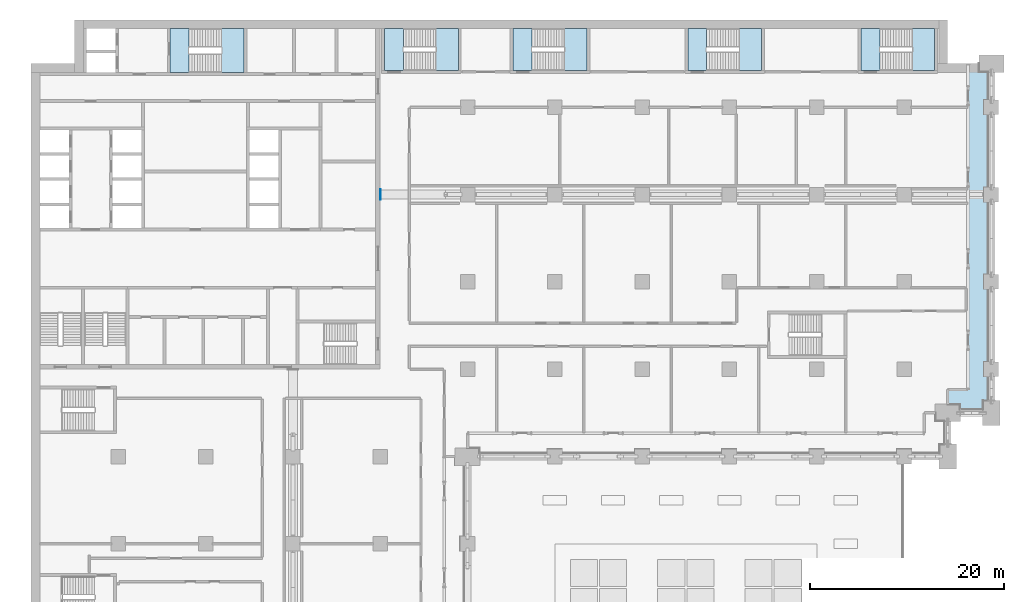
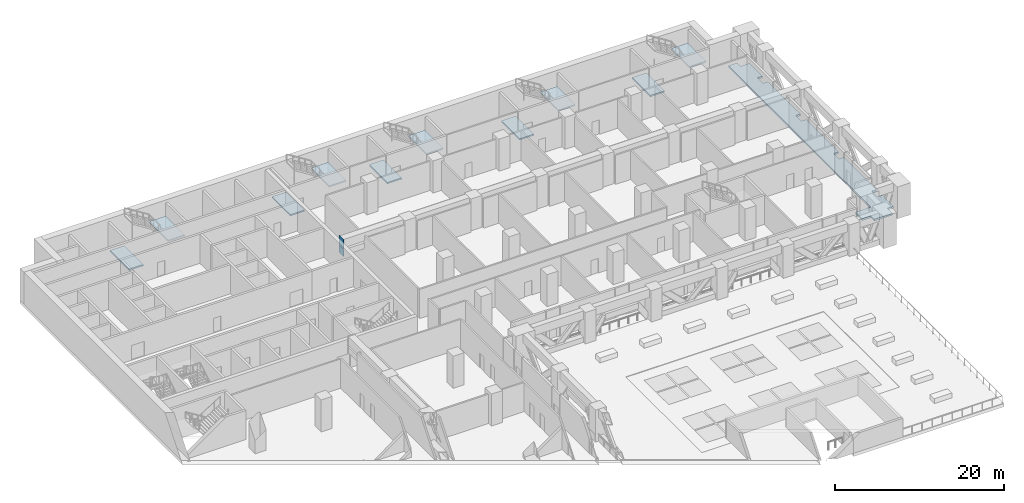
# One storey, part 9 of 31: 11 slabs, 2 plates, 5 elements without a shape of their own.
"""IFC4 building model written with IfcOpenShell, lengths in metres."""

from ifc_helpers import new_model, si_unit, direction, frame, origin, origin_2d, place, context, subcontext, project, spatial, polyline, rectangle, outline, extrude, material, layer, layer_set, type_object, element, aggregate, save


model = new_model("IFC4")

# Units and contexts
model_context = context("Model", 3, precision=1e-05, world=origin(), true_north=direction((0.0, 1.0)))
body_context = subcontext(model_context, "Body", "Model", "MODEL_VIEW")
ifc_project = project(units=[si_unit("LENGTHUNIT", "METRE"), si_unit("AREAUNIT", "SQUARE_METRE"), si_unit("VOLUMEUNIT", "CUBIC_METRE"), si_unit("PLANEANGLEUNIT", "RADIAN"), si_unit("MASSUNIT", "GRAM", prefix="KILO")], contexts=[model_context])

# Site, building, storey
site_placement = place(None, origin())
site = spatial("IfcSite", under=ifc_project, at=site_placement, CompositionType="ELEMENT")
building_placement = place(site_placement, origin())
building = spatial("IfcBuilding", under=site, at=building_placement, Name="Hunhe Ridgeline Campus", CompositionType="ELEMENT")
storey_placement = place(building_placement, frame((0.0, 0.0, 31.199951171875)))
storey = spatial("IfcBuildingStorey", under=building, at=storey_placement, Name="L06", CompositionType="ELEMENT", Elevation=31.199951171875)

# Plates
ifc_material_1 = material(Name="Steel Q420", Category="steel")
ifc_layer_1 = layer(ifc_material_1, 0.0400390625)
ifc_layer_set_1 = layer_set([ifc_layer_1], Name="Cast-in plate 1100x1000x40 Steel Q420")
plate_type_1 = type_object("IfcPlateType", Name="Cast-in plate 1100x1000x40 Steel Q420", PredefinedType="SHEET", material=ifc_layer_set_1)
plate_1_placement = place(storey_placement, frame((36.02001953125, 81.0, 2.199951171875), z_axis=(0.0, 0.0, 1.0), x_axis=(1.0, 0.0, 0.0)))
element("IfcPlate", 1, at=plate_1_placement, inside=storey, type_object=plate_type_1, Name="Cast-in plate OR1 bottom chord L06", PredefinedType="SHEET", context=body_context, shape_type="SweptSolid", body=[
    extrude(rectangle(XDim=0.0400390625, YDim=1.10009765625, at=origin_2d()), origin(), (0.0, 0.0, 1.0), 1.0),
])
ifc_layer_2 = layer(ifc_material_1, 0.0400390625)
ifc_layer_set_2 = layer_set([ifc_layer_2], Name="Cast-in plate 1100x1400x40 Steel Q420")
plate_type_2 = type_object("IfcPlateType", Name="Cast-in plate 1100x1400x40 Steel Q420", PredefinedType="SHEET", material=ifc_layer_set_2)
plate_2_placement = place(storey_placement, frame((36.02001953125, 81.0, 3.300048828125), z_axis=(0.0, 0.0, 1.0), x_axis=(1.0, 0.0, 0.0)))
element("IfcPlate", 2, at=plate_2_placement, inside=storey, type_object=plate_type_2, Name="Cast-in plate OR1 top chord L06", PredefinedType="SHEET", context=body_context, shape_type="SweptSolid", body=[
    extrude(rectangle(XDim=0.0400390625, YDim=1.10009765625, at=origin_2d()), origin(), (0.0, 0.0, 1.0), 1.39990234375),
])

# Slab
ifc_material_2 = material(Name="Concrete C40", Category="concrete")
ifc_layer_3 = layer(ifc_material_2, 0.25)
ifc_layer_set_3 = layer_set([ifc_layer_3], Name="Loggia slab 250 Concrete C40")
slab_type_1 = type_object("IfcSlabType", Name="Loggia slab 250 Concrete C40", PredefinedType="FLOOR", material=ifc_layer_set_3)
slab_1_placement = place(storey_placement, frame((0.0, 0.0, -0.25)))
element("IfcSlab", 3, at=slab_1_placement, inside=storey, type_object=slab_type_1, Name="Loggia slab 3", PredefinedType="FLOOR", context=body_context, shape_type="SweptSolid", body=[
    extrude(outline(polyline([(94.5, 59.300048828125), (95.699951171875, 59.300048828125), (95.699951171875, 58.5), (98.199951171875, 58.5), (98.199951171875, 59.699951171875), (99.0, 59.699951171875), (99.0, 62.35009765625), (98.35009765625, 62.35009765625), (98.35009765625, 63.64990234375), (99.0, 63.64990234375), (99.0, 71.35009765625), (98.35009765625, 71.35009765625), (98.35009765625, 72.64990234375), (99.0, 72.64990234375), (99.0, 80.35009765625), (98.35009765625, 80.35009765625), (98.35009765625, 81.64990234375), (99.0, 81.64990234375), (99.0, 89.35009765625), (98.35009765625, 89.35009765625), (98.35009765625, 90.64990234375), (99.0, 90.64990234375), (99.0, 93.699951171875), (97.800048828125, 93.699951171875), (97.800048828125, 94.5), (96.60009765625, 94.5), (96.60009765625, 60.89990234375), (94.5, 60.89990234375), (94.5, 59.300048828125)])), origin(), (0.0, 0.0, 1.0), 0.25),
])

# Stair, slab
stair_type = type_object("IfcStairType", Name="Reinforced concrete dog-leg stair 1950 Concrete C40", PredefinedType="HALF_TURN_STAIR", material=ifc_material_2)
stair_1_placement = place(storey_placement, origin())
stair_1 = element("IfcStair", 4, at=stair_1_placement, inside=storey, type_object=stair_type, Name="L06 S1", PredefinedType="HALF_TURN_STAIR")
ifc_layer_4 = layer(ifc_material_2, 0.199951171875)
ifc_layer_set_4 = layer_set([ifc_layer_4], Name="Reinforced concrete stair landing 200 Concrete C40")
slab_type_2 = type_object("IfcSlabType", Name="Reinforced concrete stair landing 200 Concrete C40", PredefinedType="LANDING", material=ifc_layer_set_4)
slab_2_placement = place(storey_placement, frame((0.0, 0.0, 2.10009765625)))
slab_2 = element("IfcSlab", 5, at=slab_2_placement, type_object=slab_type_2, Name="ST1 landing 1", PredefinedType="LANDING", context=body_context, shape_type="SweptSolid", body=[
    extrude(outline(polyline([(19.659912109375, 93.60009765625), (21.949951171875, 93.60009765625), (21.949951171875, 98.10009765625), (19.659912109375, 98.10009765625), (19.659912109375, 93.60009765625)])), origin(), (0.0, 0.0, 1.0), 0.199951171875),
])
aggregate(stair_1, [slab_2])

# Slab
slab_3_placement = place(storey_placement, frame((0.0, 0.0, -0.199951171875)))
element("IfcSlab", 6, at=slab_3_placement, inside=storey, type_object=slab_type_2, Name="L06 stair S1 floor landing", PredefinedType="LANDING", context=body_context, shape_type="SweptSolid", body=[
    extrude(outline(polyline([(14.35009765625, 93.60009765625), (16.300048828125, 93.60009765625), (16.300048828125, 98.10009765625), (14.35009765625, 98.10009765625), (14.35009765625, 93.60009765625)])), origin(), (0.0, 0.0, 1.0), 0.199951171875),
])

# Stair, slab
stair_2_placement = place(storey_placement, origin())
stair_2 = element("IfcStair", 7, at=stair_2_placement, inside=storey, type_object=stair_type, Name="L06 E1", PredefinedType="HALF_TURN_STAIR")
slab_4_placement = place(storey_placement, frame((0.0, 0.0, 2.10009765625)))
slab_4 = element("IfcSlab", 8, at=slab_4_placement, type_object=slab_type_2, Name="ST5 landing 1", PredefinedType="LANDING", context=body_context, shape_type="SweptSolid", body=[
    extrude(outline(polyline([(41.760009765625, 93.800048828125), (44.050048828125, 93.800048828125), (44.050048828125, 98.10009765625), (41.760009765625, 98.10009765625), (41.760009765625, 93.800048828125)])), origin(), (0.0, 0.0, 1.0), 0.199951171875),
])
aggregate(stair_2, [slab_4])

# Slab
slab_5_placement = place(storey_placement, frame((0.0, 0.0, -0.199951171875)))
element("IfcSlab", 9, at=slab_5_placement, inside=storey, type_object=slab_type_2, Name="L06 stair E1 floor landing", PredefinedType="LANDING", context=body_context, shape_type="SweptSolid", body=[
    extrude(outline(polyline([(36.449951171875, 93.800048828125), (38.39990234375, 93.800048828125), (38.39990234375, 98.10009765625), (36.449951171875, 98.10009765625), (36.449951171875, 93.800048828125)])), origin(), (0.0, 0.0, 1.0), 0.199951171875),
])

# Stair, slab
stair_3_placement = place(storey_placement, origin())
stair_3 = element("IfcStair", 10, at=stair_3_placement, inside=storey, type_object=stair_type, Name="L06 E2", PredefinedType="HALF_TURN_STAIR")
slab_6_placement = place(storey_placement, frame((0.0, 0.0, 2.10009765625)))
slab_6 = element("IfcSlab", 11, at=slab_6_placement, type_object=slab_type_2, Name="ST6 landing 1", PredefinedType="LANDING", context=body_context, shape_type="SweptSolid", body=[
    extrude(outline(polyline([(55.010009765625, 93.800048828125), (57.300048828125, 93.800048828125), (57.300048828125, 98.10009765625), (55.010009765625, 98.10009765625), (55.010009765625, 93.800048828125)])), origin(), (0.0, 0.0, 1.0), 0.199951171875),
])
aggregate(stair_3, [slab_6])

# Slab
slab_7_placement = place(storey_placement, frame((0.0, 0.0, -0.199951171875)))
element("IfcSlab", 12, at=slab_7_placement, inside=storey, type_object=slab_type_2, Name="L06 stair E2 floor landing", PredefinedType="LANDING", context=body_context, shape_type="SweptSolid", body=[
    extrude(outline(polyline([(49.699951171875, 93.800048828125), (51.64990234375, 93.800048828125), (51.64990234375, 98.10009765625), (49.699951171875, 98.10009765625), (49.699951171875, 93.800048828125)])), origin(), (0.0, 0.0, 1.0), 0.199951171875),
])

# Stair, slab
stair_4_placement = place(storey_placement, origin())
stair_4 = element("IfcStair", 13, at=stair_4_placement, inside=storey, type_object=stair_type, Name="L06 E3", PredefinedType="HALF_TURN_STAIR")
slab_8_placement = place(storey_placement, frame((0.0, 0.0, 2.10009765625)))
slab_8 = element("IfcSlab", 14, at=slab_8_placement, type_object=slab_type_2, Name="ST7 landing 1", PredefinedType="LANDING", context=body_context, shape_type="SweptSolid", body=[
    extrude(outline(polyline([(73.010009765625, 93.800048828125), (75.300048828125, 93.800048828125), (75.300048828125, 98.10009765625), (73.010009765625, 98.10009765625), (73.010009765625, 93.800048828125)])), origin(), (0.0, 0.0, 1.0), 0.199951171875),
])
aggregate(stair_4, [slab_8])

# Slab
slab_9_placement = place(storey_placement, frame((0.0, 0.0, -0.199951171875)))
element("IfcSlab", 15, at=slab_9_placement, inside=storey, type_object=slab_type_2, Name="L06 stair E3 floor landing", PredefinedType="LANDING", context=body_context, shape_type="SweptSolid", body=[
    extrude(outline(polyline([(67.699951171875, 93.800048828125), (69.64990234375, 93.800048828125), (69.64990234375, 98.10009765625), (67.699951171875, 98.10009765625), (67.699951171875, 93.800048828125)])), origin(), (0.0, 0.0, 1.0), 0.199951171875),
])

# Stair, slab
stair_5_placement = place(storey_placement, origin())
stair_5 = element("IfcStair", 16, at=stair_5_placement, inside=storey, type_object=stair_type, Name="L06 E4", PredefinedType="HALF_TURN_STAIR")
slab_10_placement = place(storey_placement, frame((0.0, 0.0, 2.10009765625)))
slab_10 = element("IfcSlab", 17, at=slab_10_placement, type_object=slab_type_2, Name="ST8 landing 1", PredefinedType="LANDING", context=body_context, shape_type="SweptSolid", body=[
    extrude(outline(polyline([(90.860107421875, 93.800048828125), (93.14990234375, 93.800048828125), (93.14990234375, 98.10009765625), (90.860107421875, 98.10009765625), (90.860107421875, 93.800048828125)])), origin(), (0.0, 0.0, 1.0), 0.199951171875),
])
aggregate(stair_5, [slab_10])

# Slab
slab_11_placement = place(storey_placement, frame((0.0, 0.0, -0.199951171875)))
element("IfcSlab", 18, at=slab_11_placement, inside=storey, type_object=slab_type_2, Name="L06 stair E4 floor landing", PredefinedType="LANDING", context=body_context, shape_type="SweptSolid", body=[
    extrude(outline(polyline([(85.550048828125, 93.800048828125), (87.5, 93.800048828125), (87.5, 98.10009765625), (85.550048828125, 98.10009765625), (85.550048828125, 93.800048828125)])), origin(), (0.0, 0.0, 1.0), 0.199951171875),
])

save(model, "model.ifc")
